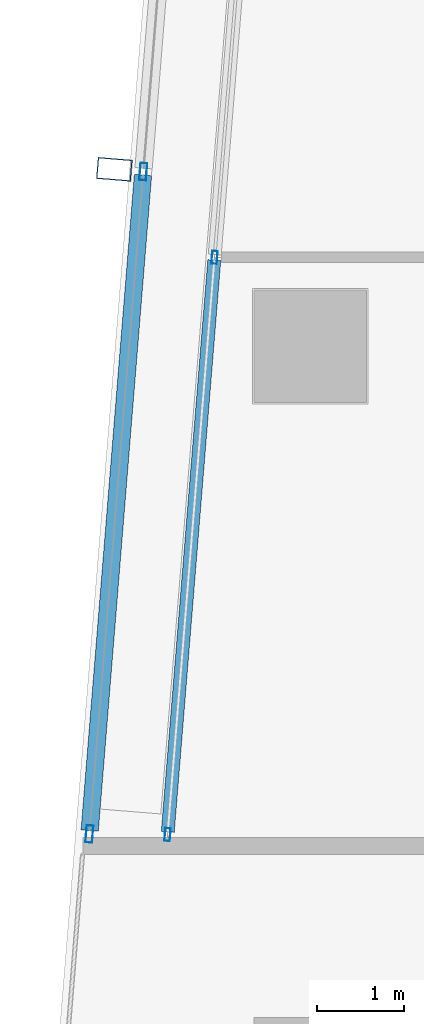
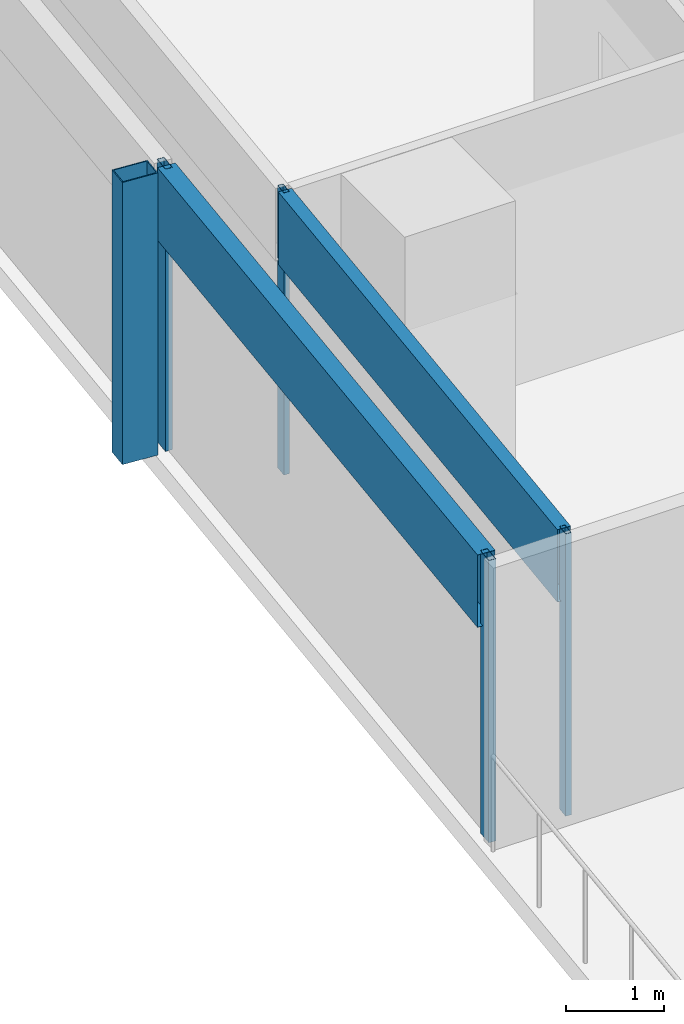
# One storey, part 6 of 28: 7 members, 2 elements without a shape of their own.
"""IFC4 building model written with IfcOpenShell, lengths in metres."""

import ifcopenshell
import ifcopenshell.guid

model = None  # the IFC model being written
_history = None  # IfcOwnerHistory: only IFC2X3 demands one
_inside = {}  # id of a spatial element -> (the spatial element, [elements in it])
_under = {}  # id of a project, library or spatial element -> (it, [spatial elements below it])
_declared = {}  # id of a project -> (the project, [libraries it declares])
_typed = {}  # id of a type object -> (the type object, [elements of that type])
_made_of = {}  # id of a material, layer set ... -> (it, [elements and type objects made of it])


def new_model(schema):
    """Start an empty IFC model of exactly this schema.

    Asked for "IFC4X3", IfcOpenShell would pick the latest addendum, in which some entities
    have other attributes; the version numbers below select the first issue.
    IFC2X3 requires an IfcOwnerHistory on every rooted entity: one is made here for all.
    """
    global model, _history
    if schema == "IFC4X3":
        model = ifcopenshell.file(schema_version=(4, 3, 0, 0))
    else:
        model = ifcopenshell.file(schema=schema)
    _inside.clear()
    _under.clear()
    _declared.clear()
    _typed.clear()
    _made_of.clear()
    _history = None
    if model.schema == "IFC2X3":
        org = make("IfcOrganization", Name="unknown")
        user = make(
            "IfcPersonAndOrganization",
            ThePerson=make("IfcPerson", FamilyName="unknown"),
            TheOrganization=org,
        )
        app = make(
            "IfcApplication",
            ApplicationDeveloper=org,
            Version="unknown",
            ApplicationFullName="unknown",
            ApplicationIdentifier="unknown",
        )
        _history = make(
            "IfcOwnerHistory",
            OwningUser=user,
            OwningApplication=app,
            ChangeAction="ADDED",
            CreationDate=0,
        )
    return model


def make(cls, **values):
    """One entity of the class cls with the attributes given. An attribute that is None is left unset."""
    return model.create_entity(
        cls, **{name: value for name, value in values.items() if value is not None}
    )


def rooted(cls, **values):
    """An entity with a GlobalId (a new one), such as an element, a storey or a relation."""
    return make(cls, GlobalId=ifcopenshell.guid.new(), OwnerHistory=_history, **values)


def si_unit(unit_type, name, prefix=None):
    """IfcSIUnit, for example si_unit("LENGTHUNIT", "METRE", prefix="MILLI")."""
    return make("IfcSIUnit", UnitType=unit_type, Prefix=prefix, Name=name)


def assignment(units):
    """IfcUnitAssignment: the units of a project."""
    return None if units is None else make("IfcUnitAssignment", Units=units)


def point(xyz):
    """IfcCartesianPoint."""
    return None if xyz is None else make("IfcCartesianPoint", Coordinates=xyz)


def direction(xyz):
    """IfcDirection."""
    return None if xyz is None else make("IfcDirection", DirectionRatios=xyz)


def frame(location, z_axis=None, x_axis=None):
    """IfcAxis2Placement3D, a coordinate frame: its origin and axes. An axis left out is left unset."""
    return make(
        "IfcAxis2Placement3D",
        Location=point(location),
        Axis=direction(z_axis),
        RefDirection=direction(x_axis),
    )


def frame_2d(location, x_axis=None):
    """IfcAxis2Placement2D, a coordinate frame in the plane: its origin and x axis."""
    return make(
        "IfcAxis2Placement2D", Location=point(location), RefDirection=direction(x_axis)
    )


def origin():
    """The frame at (0, 0, 0) with its axes left unset."""
    return frame((0.0, 0.0, 0.0))


def origin_2d():
    """The frame at (0, 0) in the plane with its x axis left unset."""
    return frame_2d((0.0, 0.0))


def place(relative_to, where):
    """IfcLocalPlacement: puts the frame where relative to a parent placement (None: the world)."""
    return make(
        "IfcLocalPlacement", PlacementRelTo=relative_to, RelativePlacement=where
    )


def context(
    kind, dimensions, precision=None, world=None, true_north=None, identifier=None
):
    """IfcGeometricRepresentationContext, for example the 3D "Model" context."""
    return make(
        "IfcGeometricRepresentationContext",
        ContextIdentifier=identifier,
        ContextType=kind,
        CoordinateSpaceDimension=dimensions,
        Precision=precision,
        WorldCoordinateSystem=world,
        TrueNorth=true_north,
    )


def subcontext(parent, identifier, kind, view, scale=None):
    """IfcGeometricRepresentationSubContext, for example "Body" below "Model"."""
    return make(
        "IfcGeometricRepresentationSubContext",
        ContextIdentifier=identifier,
        ContextType=kind,
        ParentContext=parent,
        TargetScale=scale,
        TargetView=view,
    )


def project(units=None, contexts=None):
    """IfcProject with its units and contexts."""
    return rooted(
        "IfcProject",
        Name="project",
        RepresentationContexts=contexts,
        UnitsInContext=assignment(units),
    )


def spatial(cls, under=None, at=None, **own):
    """A site, building, storey or space (cls), placed at a placement, below another one or the project."""
    s = rooted(cls, ObjectPlacement=at, **own)
    if under is not None:
        _under.setdefault(under.id(), (under, []))[1].append(s)
    return s


def profile(cls, at=None, kind="AREA", **sizes):
    """A parametric profile (cls). Its sizes go by their IFC names, for example OverallWidth=200.0."""
    return make(cls, ProfileType=kind, Position=at, **sizes)


def hollow_rectangle(**sizes):
    """IfcRectangleHollowProfileDef."""
    return profile("IfcRectangleHollowProfileDef", **sizes)


def extrude(swept, where, along, depth):
    """IfcExtrudedAreaSolid: the profile swept, set in the frame where, extruded along a direction by depth."""
    return make(
        "IfcExtrudedAreaSolid",
        SweptArea=swept,
        Position=where,
        ExtrudedDirection=direction(along),
        Depth=depth,
    )


def shape(context_of_items, identifier, shape_type, items):
    """IfcShapeRepresentation: the items that make up one representation, for example the "Body"."""
    return make(
        "IfcShapeRepresentation",
        ContextOfItems=context_of_items,
        RepresentationIdentifier=identifier,
        RepresentationType=shape_type,
        Items=items,
    )


def material(Name=None, Category=None):
    """IfcMaterial."""
    return make("IfcMaterial", Name=Name, Category=Category)


def material_profile(
    of_material, cross_section, Name=None, Category=None, Priority=None
):
    """IfcMaterialProfile: a cross section and its material."""
    return make(
        "IfcMaterialProfile",
        Name=Name,
        Material=of_material,
        Profile=cross_section,
        Priority=Priority,
        Category=Category,
    )


def profile_set(profiles, Name=None, composite=None):
    """IfcMaterialProfileSet."""
    return make(
        "IfcMaterialProfileSet",
        Name=Name,
        MaterialProfiles=profiles,
        CompositeProfile=composite,
    )


def made_of(thing, what):
    """Note that an element or type object is made of a material, layer set ...; save() writes the relation."""
    if what is not None:
        _made_of.setdefault(what.id(), (what, []))[1].append(thing)
    return thing


def type_object(cls, material=None, **own):
    """A type object (cls), such as IfcWallType, which elements share."""
    return made_of(rooted(cls, **own), material)


def element(
    cls,
    number,
    at=None,
    inside=None,
    cuts=None,
    type_object=None,
    material=None,
    context=None,
    identifier="Body",
    shape_type=None,
    held_by="IfcProductDefinitionShape",
    body=None,
    shapes=None,
    **own,
):
    """One element of the class cls, such as IfcWall. Its Tag is "e" and its number.

    at: its placement. inside: the storey or other place that contains it. cuts: it is an
    opening in that element (IfcRelVoidsElement). A single representation is given by context,
    identifier, shape_type and body (its items); several are given by shapes. held_by: the class
    of the entity that holds the representations. save() writes the other relations.
    """
    e = rooted(cls, Tag="e%d" % number, ObjectPlacement=at, **own)
    if body is not None:
        shapes = [shape(context, identifier, shape_type, body)]
    if shapes is not None:
        e.Representation = make(held_by, Representations=shapes)
    if inside is not None:
        _inside.setdefault(inside.id(), (inside, []))[1].append(e)
    if cuts is not None:
        rooted(
            "IfcRelVoidsElement", RelatingBuildingElement=cuts, RelatedOpeningElement=e
        )
    if type_object is not None:
        _typed.setdefault(type_object.id(), (type_object, []))[1].append(e)
    return made_of(e, material)


def aggregate(whole, parts):
    """IfcRelAggregates: a whole, such as a stair, and the parts it consists of."""
    return rooted("IfcRelAggregates", RelatingObject=whole, RelatedObjects=parts)


def save(model, path):
    """Write the relations noted so far, then the file.

    IfcRelAggregates (storeys below a building ...), IfcRelContainedInSpatialStructure (elements
    in a storey), IfcRelDefinesByType, IfcRelAssociatesMaterial and IfcRelDeclares: one each for
    every whole, place, type object, material and project.
    """
    for whole, parts in _under.values():
        aggregate(whole, parts)
    for where, things in _inside.values():
        rooted(
            "IfcRelContainedInSpatialStructure",
            RelatedElements=things,
            RelatingStructure=where,
        )
    for kind, things in _typed.values():
        rooted("IfcRelDefinesByType", RelatedObjects=things, RelatingType=kind)
    for what, things in _made_of.values():
        rooted("IfcRelAssociatesMaterial", RelatedObjects=things, RelatingMaterial=what)
    for by, libraries in _declared.values():
        rooted("IfcRelDeclares", RelatingContext=by, RelatedDefinitions=libraries)
    model.write(path)


model = new_model("IFC4")

# Units and contexts
model_context = context("Model", 3, precision=1e-05, world=origin(), true_north=direction((0.0, 1.0)))
body_context = subcontext(model_context, "Body", "Model", "MODEL_VIEW")
ifc_project = project(units=[si_unit("LENGTHUNIT", "METRE"), si_unit("AREAUNIT", "SQUARE_METRE"), si_unit("VOLUMEUNIT", "CUBIC_METRE"), si_unit("PLANEANGLEUNIT", "RADIAN"), si_unit("MASSUNIT", "GRAM", prefix="KILO")], contexts=[model_context])

# Site, building, storey
site_placement = place(None, origin())
site = spatial("IfcSite", under=ifc_project, at=site_placement, CompositionType="ELEMENT")
building_placement = place(site_placement, origin())
building = spatial("IfcBuilding", under=site, at=building_placement, Name="Rekha Terrace Tower", CompositionType="ELEMENT")
storey_placement = place(building_placement, frame((0.0, 0.0, 268.85009765625)))
storey = spatial("IfcBuildingStorey", under=building, at=storey_placement, Name="L68", CompositionType="ELEMENT", Elevation=268.85009765625)

# Curtain wall, member
ifc_material_1 = material(Name="Aluminium framing", Category="aluminium")
curtain_wall_type_1 = type_object("IfcCurtainWallType", Name="CW2 double skin outer glazing", PredefinedType="USERDEFINED", material=ifc_material_1)
curtain_wall_1_placement = place(storey_placement, origin())
curtain_wall_1 = element("IfcCurtainWall", 1, at=curtain_wall_1_placement, inside=storey, type_object=curtain_wall_type_1, Name="CW2 double skin outer glazing", ObjectType="DOUBLE SKIN OUTER GLAZING", PredefinedType="USERDEFINED")
ifc_material_2 = material(Name="Steel S355 with fluorocarbon finish", Category="steel")
ifc_material_profile_1 = material_profile(ifc_material_2, hollow_rectangle(XDim=0.25, YDim=0.39990234375, WallThickness=0.012451171875, at=origin_2d()), Name="RHS400x250x12.5")
ifc_profile_set_1 = profile_set([ifc_material_profile_1], Name="Steel S355 with fluorocarbon finish")
member_type_1 = type_object("IfcMemberType", Name="BL1 facade blade RHS 400 x 250", PredefinedType="USERDEFINED", material=ifc_profile_set_1)
member_1_placement = place(storey_placement, frame((6.139404296875, 44.042724609375, 0.0), z_axis=(0.0, 0.0, 1.0), x_axis=(-0.081068747348, -0.996708512156, 0.0)))
member_1 = element("IfcMember", 2, at=member_1_placement, type_object=member_type_1, Name="Facade blade", ObjectType="FACADE BLADE", PredefinedType="USERDEFINED", context=body_context, shape_type="SweptSolid", body=[
    extrude(hollow_rectangle(XDim=0.25, YDim=0.39990234375, WallThickness=0.012451171875, at=origin_2d()), origin(), (0.0, 0.0, 1.0), 3.5),
])

# Curtain wall, members
curtain_wall_type_2 = type_object("IfcCurtainWallType", Name="CW1 double skin inner glazing", PredefinedType="USERDEFINED", material=ifc_material_1)
curtain_wall_2_placement = place(storey_placement, origin())
curtain_wall_2 = element("IfcCurtainWall", 3, at=curtain_wall_2_placement, inside=storey, type_object=curtain_wall_type_2, Name="CW1 double skin inner glazing", ObjectType="DOUBLE SKIN INNER GLAZING", PredefinedType="USERDEFINED")
ifc_material_3 = material(Name="Aluminium mullion section", Category="aluminium")
ifc_material_profile_2 = material_profile(ifc_material_3, hollow_rectangle(XDim=0.06494140625, YDim=0.14990234375, WallThickness=0.00390625, at=origin_2d()), Name="AL RHS 65x150")
ifc_profile_set_2 = profile_set([ifc_material_profile_2], Name="Aluminium mullion section")
member_type_2 = type_object("IfcMemberType", Name="CW1 mullion RHS 65 x 150", PredefinedType="MULLION", material=ifc_profile_set_2)
member_2_placement = place(storey_placement, frame((7.2958984375, 43.0263671875, 0.0), z_axis=(0.0, 0.0, 1.0), x_axis=(0.996708580524, -0.081067906781, 0.0)))
member_2 = element("IfcMember", 4, at=member_2_placement, type_object=member_type_2, Name="CW1 mullion 2", PredefinedType="MULLION", context=body_context, shape_type="SweptSolid", body=[
    extrude(hollow_rectangle(XDim=0.06494140625, YDim=0.14990234375, WallThickness=0.00390625, at=origin_2d()), origin(), (0.0, 0.0, 1.0), 3.5),
])
member_3_placement = place(storey_placement, frame((6.75390625, 36.3623046875, 0.0), z_axis=(0.0, 0.0, 1.0), x_axis=(0.996708580524, -0.081067906781, 0.0)))
member_3 = element("IfcMember", 5, at=member_3_placement, type_object=member_type_2, Name="CW1 mullion 3", PredefinedType="MULLION", context=body_context, shape_type="SweptSolid", body=[
    extrude(hollow_rectangle(XDim=0.06494140625, YDim=0.14990234375, WallThickness=0.00390625, at=origin_2d()), origin(), (0.0, 0.0, 1.0), 3.5),
])
ifc_material_4 = material(Name="Insulated aluminium spandrel box", Category="aluminium")
ifc_material_profile_3 = material_profile(ifc_material_4, hollow_rectangle(XDim=0.14990234375, YDim=0.89990234375, WallThickness=0.0029296875, at=origin_2d()), Name="AL SPANDREL BOX 150x900")
ifc_profile_set_3 = profile_set([ifc_material_profile_3], Name="Insulated aluminium spandrel box")
member_type_3 = type_object("IfcMemberType", Name="CW1 spandrel transom 150 x 900", PredefinedType="USERDEFINED", material=ifc_profile_set_3)
member_4_placement = place(storey_placement, frame((7.293212890625, 42.993896484375, 3.0498046875), z_axis=(-0.081086159952, -0.996707095723, 0.0), x_axis=(0.996707095723, -0.081086159952, 0.0)))
member_4 = element("IfcMember", 6, at=member_4_placement, type_object=member_type_3, Name="CW1 spandrel transom 2", ObjectType="TRANSOM", PredefinedType="USERDEFINED", context=body_context, shape_type="SweptSolid", body=[
    extrude(hollow_rectangle(XDim=0.14990234375, YDim=0.89990234375, WallThickness=0.0029296875, at=origin_2d()), origin(), (0.0, 0.0, 1.0), 6.620849609375),
])
aggregate(curtain_wall_2, [member_2, member_3, member_4])

# Member
ifc_material_profile_4 = material_profile(ifc_material_3, hollow_rectangle(XDim=0.080078125, YDim=0.199951171875, WallThickness=0.00390625, at=origin_2d()), Name="AL RHS 80x200")
ifc_profile_set_4 = profile_set([ifc_material_profile_4], Name="Aluminium mullion section")
member_type_4 = type_object("IfcMemberType", Name="CW2 mullion RHS 80 x 200", PredefinedType="MULLION", material=ifc_profile_set_4)
member_5_placement = place(storey_placement, frame((6.473388671875, 44.015625, 0.0), z_axis=(0.0, 0.0, 1.0), x_axis=(0.996708580523, -0.081067906798, 0.0)))
member_5 = element("IfcMember", 7, at=member_5_placement, type_object=member_type_4, Name="CW2 mullion 2", PredefinedType="MULLION", context=body_context, shape_type="SweptSolid", body=[
    extrude(hollow_rectangle(XDim=0.080078125, YDim=0.199951171875, WallThickness=0.00390625, at=origin_2d()), origin(), (0.0, 0.0, 1.0), 3.5),
])

member_6_placement = place(storey_placement, frame((5.8515625, 36.369873046875, 0.0), z_axis=(0.0, 0.0, 1.0), x_axis=(0.996708580523, -0.081067906798, 0.0)))
member_6 = element("IfcMember", 8, at=member_6_placement, type_object=member_type_4, Name="CW2 mullion 3", PredefinedType="MULLION", context=body_context, shape_type="SweptSolid", body=[
    extrude(hollow_rectangle(XDim=0.080078125, YDim=0.199951171875, WallThickness=0.00390625, at=origin_2d()), origin(), (0.0, 0.0, 1.0), 3.5),
])

ifc_material_profile_5 = material_profile(ifc_material_4, hollow_rectangle(XDim=0.199951171875, YDim=0.89990234375, WallThickness=0.0029296875, at=origin_2d()), Name="AL SPANDREL BOX 200x900")
ifc_profile_set_5 = profile_set([ifc_material_profile_5], Name="Insulated aluminium spandrel box")
member_type_5 = type_object("IfcMemberType", Name="CW2 spandrel transom 200 x 900", PredefinedType="USERDEFINED", material=ifc_profile_set_5)
member_7_placement = place(storey_placement, frame((6.469970703125, 43.975830078125, 3.0498046875), z_axis=(-0.081046433597, -0.996710326826, 0.0), x_axis=(0.996710326826, -0.081046433597, 0.0)))
member_7 = element("IfcMember", 9, at=member_7_placement, type_object=member_type_5, Name="CW2 spandrel transom 2", ObjectType="TRANSOM", PredefinedType="USERDEFINED", context=body_context, shape_type="SweptSolid", body=[
    extrude(hollow_rectangle(XDim=0.199951171875, YDim=0.89990234375, WallThickness=0.0029296875, at=origin_2d()), origin(), (0.0, 0.0, 1.0), 7.591064453125),
])

aggregate(curtain_wall_1, [member_5, member_6, member_7, member_1])

save(model, "model.ifc")
